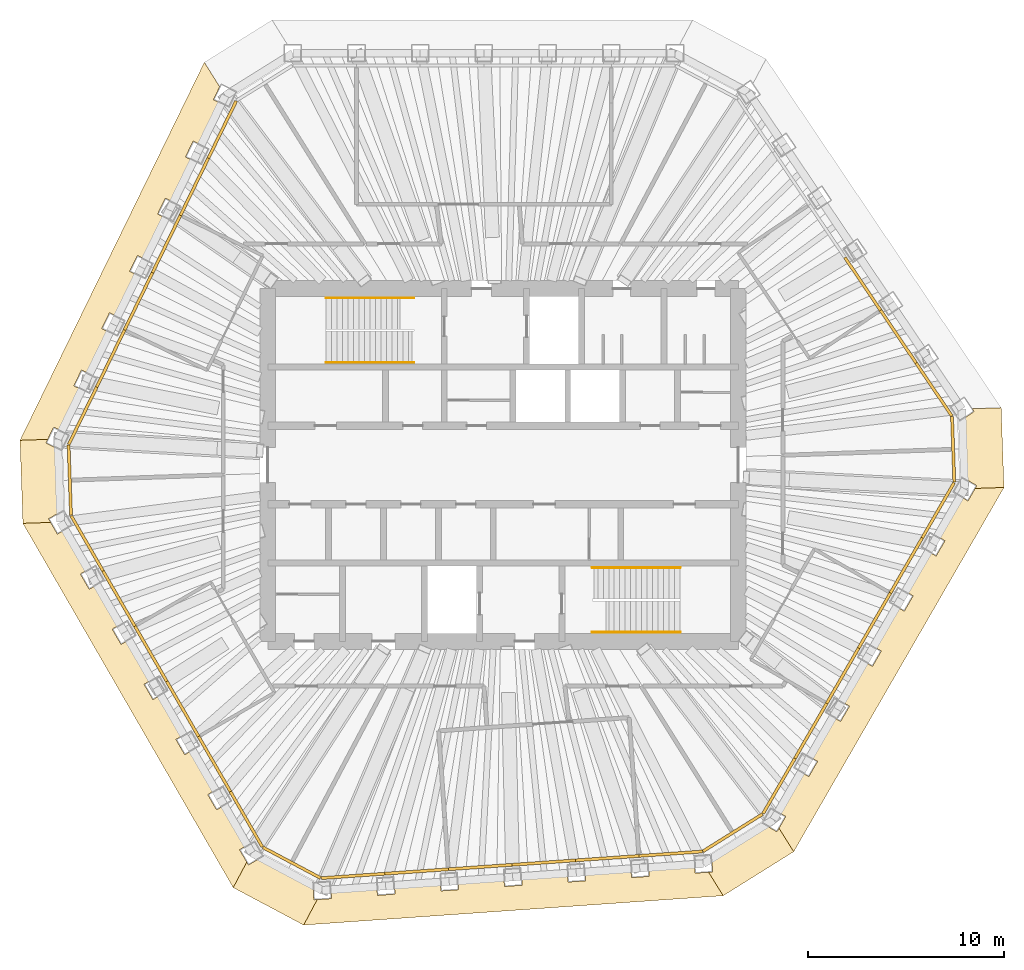
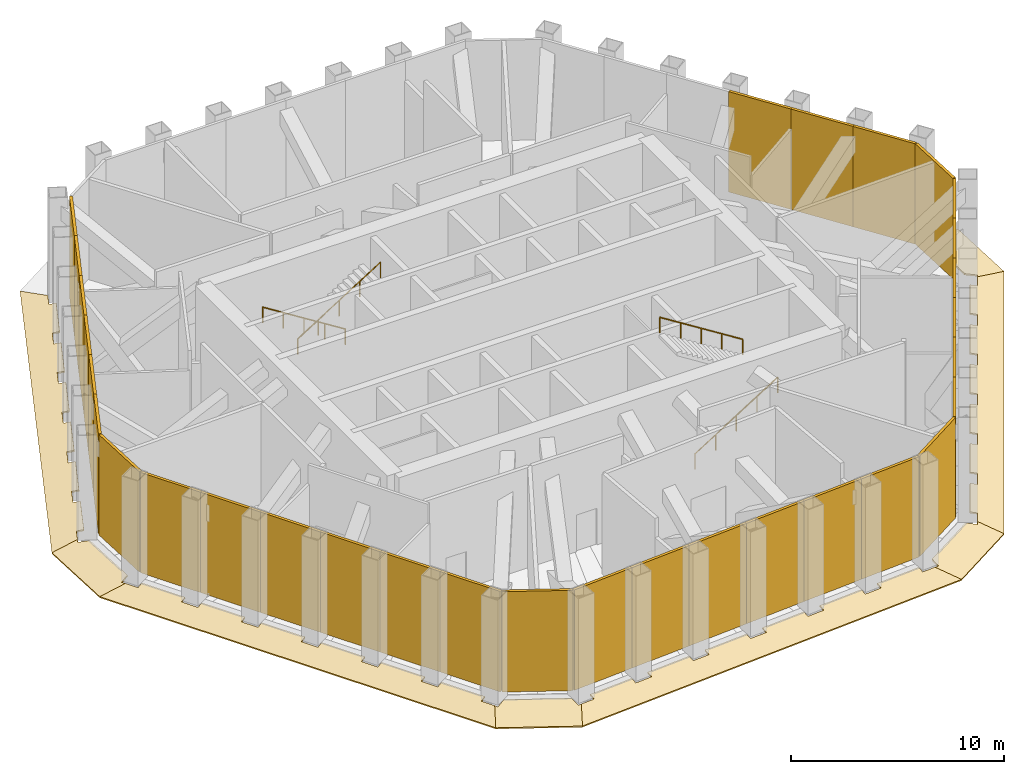
# One storey, part 9 of 10: 31 shading devices, 8 coverings, 4 railings.
"""IFC4 building model written with IfcOpenShell, lengths in metres."""

from ifc_helpers import new_model, si_unit, direction, frame, origin, origin_2d, place, context, subcontext, project, spatial, polyline, circle, outline, extrude, material, layer, layer_set, type_object, element, save


model = new_model("IFC4")

# Units and contexts
model_context = context("Model", 3, precision=1e-05, world=origin(), true_north=direction((0.0, 1.0)))
body_context = subcontext(model_context, "Body", "Model", "MODEL_VIEW")
ifc_project = project(units=[si_unit("LENGTHUNIT", "METRE"), si_unit("AREAUNIT", "SQUARE_METRE"), si_unit("VOLUMEUNIT", "CUBIC_METRE"), si_unit("PLANEANGLEUNIT", "RADIAN"), si_unit("MASSUNIT", "GRAM", prefix="KILO")], contexts=[model_context])

# Site, building, storey
site_placement = place(None, origin())
site = spatial("IfcSite", under=ifc_project, at=site_placement, CompositionType="ELEMENT")
building_placement = place(site_placement, origin())
building = spatial("IfcBuilding", under=site, at=building_placement, Name="Qingtian Harvest Tower", CompositionType="ELEMENT")
storey_placement = place(building_placement, frame((0.0, 0.0, 337.60009765625)))
storey = spatial("IfcBuildingStorey", under=building, at=storey_placement, Name="L75", CompositionType="ELEMENT", Elevation=337.60009765625)

# Shading devices
ifc_material_1 = material(Name="Bronze-finished aluminium lattice", Category="aluminium")
ifc_layer_1 = layer(ifc_material_1, 0.14990234375)
ifc_layer_set_1 = layer_set([ifc_layer_1], Name="Bronze crown screen LS2 150")
shading_device_type = type_object("IfcShadingDeviceType", Name="Bronze crown screen LS2 150", PredefinedType="USERDEFINED", material=ifc_layer_set_1)
shading_device_1_placement = place(storey_placement, frame((17.37646484375, 10.540771484375, 0.0), z_axis=(-0.829066456504, -0.55915007887, 0.0), x_axis=(0.55915007887, -0.829066456504, 0.0)))
element("IfcShadingDevice", 1, at=shading_device_1_placement, inside=storey, type_object=shading_device_type, Name="Lattice screen LS2 L75 NE3", ObjectType="SCREEN", PredefinedType="USERDEFINED", context=body_context, shape_type="SweptSolid", body=[
    extrude(outline(polyline([(0.0, 0.0), (3.2480762822144085, 0.0), (3.2480762822144085, 5.75), (0.0, 5.75), (0.0, 0.0)])), origin(), (0.0, 0.0, -1.0), 0.14990234375),
])
shading_device_2_placement = place(storey_placement, frame((19.192626953125, 7.847900390625, 0.0), z_axis=(-0.829008106372, -0.5592365864, 0.0), x_axis=(0.5592365864, -0.829008106372, 0.0)))
element("IfcShadingDevice", 2, at=shading_device_2_placement, inside=storey, type_object=shading_device_type, Name="Lattice screen LS2 L75 NE4", ObjectType="SCREEN", PredefinedType="USERDEFINED", context=body_context, shape_type="SweptSolid", body=[
    extrude(outline(polyline([(0.0, 0.0), (3.2480104023439154, 0.0), (3.2480104023439154, 5.75), (0.0, 5.75), (0.0, 0.0)])), origin(), (0.0, 0.0, -1.0), 0.14990234375),
])
shading_device_3_placement = place(storey_placement, frame((21.009033203125, 5.1552734375, 0.0), z_axis=(-0.829066456504, -0.55915007887, 0.0), x_axis=(0.55915007887, -0.829066456504, 0.0)))
element("IfcShadingDevice", 3, at=shading_device_3_placement, inside=storey, type_object=shading_device_type, Name="Lattice screen LS2 L75 NE5", ObjectType="SCREEN", PredefinedType="USERDEFINED", context=body_context, shape_type="SweptSolid", body=[
    extrude(outline(polyline([(0.0, 0.0), (3.2480762822144085, 0.0), (3.2480762822144085, 5.75), (0.0, 5.75), (0.0, 0.0)])), origin(), (0.0, 0.0, -1.0), 0.14990234375),
])
shading_device_4_placement = place(storey_placement, frame((22.8251953125, 2.46240234375, 0.0), z_axis=(-0.999390393097, -0.034911920381, 0.0), x_axis=(0.034911920381, -0.999390393097, 0.0)))
element("IfcShadingDevice", 4, at=shading_device_4_placement, inside=storey, type_object=shading_device_type, Name="Lattice screen LS2 L75 NEC", ObjectType="SCREEN", PredefinedType="USERDEFINED", context=body_context, shape_type="SweptSolid", body=[
    extrude(outline(polyline([(0.0, 0.0), (3.328689348253439, 0.0), (3.328689348253439, 5.75), (0.0, 5.75), (0.0, 0.0)])), origin(), (0.0, 0.0, -1.0), 0.14990234375),
])
shading_device_5_placement = place(storey_placement, frame((22.94140625, -0.8642578125, 0.0), z_axis=(-0.866032882975, 0.499987045439, 0.0), x_axis=(-0.499987045439, -0.866032882975, 0.0)))
element("IfcShadingDevice", 5, at=shading_device_5_placement, inside=storey, type_object=shading_device_type, Name="Lattice screen LS2 L75 SE0", ObjectType="SCREEN", PredefinedType="USERDEFINED", context=body_context, shape_type="SweptSolid", body=[
    extrude(outline(polyline([(0.0, 0.0), (3.2481310312238247, 0.0), (3.2481310312238247, 5.75), (0.0, 5.75), (0.0, 0.0)])), origin(), (0.0, 0.0, -1.0), 0.14990234375),
])
shading_device_6_placement = place(storey_placement, frame((21.3173828125, -3.67724609375, 0.0), z_axis=(-0.866014091259, 0.500019593356, 0.0), x_axis=(-0.500019593356, -0.866014091259, 0.0)))
element("IfcShadingDevice", 6, at=shading_device_6_placement, inside=storey, type_object=shading_device_type, Name="Lattice screen LS2 L75 SE1", ObjectType="SCREEN", PredefinedType="USERDEFINED", context=body_context, shape_type="SweptSolid", body=[
    extrude(outline(polyline([(0.0, 0.0), (3.2479195997083408, 0.0), (3.2479195997083408, 5.749999999999999), (0.0, 5.749999999999999), (0.0, 0.0)])), origin(), (0.0, 0.0, -1.0), 0.14990234375),
])
shading_device_7_placement = place(storey_placement, frame((19.693359375, -6.489990234375, 0.0), z_axis=(-0.866032882975, 0.499987045439, 0.0), x_axis=(-0.499987045439, -0.866032882975, 0.0)))
element("IfcShadingDevice", 7, at=shading_device_7_placement, inside=storey, type_object=shading_device_type, Name="Lattice screen LS2 L75 SE2", ObjectType="SCREEN", PredefinedType="USERDEFINED", context=body_context, shape_type="SweptSolid", body=[
    extrude(outline(polyline([(0.0, 0.0), (3.2481310312238247, 0.0), (3.2481310312238247, 5.75), (0.0, 5.75), (0.0, 0.0)])), origin(), (0.0, 0.0, -1.0), 0.14990234375),
])
shading_device_8_placement = place(storey_placement, frame((18.0693359375, -9.302978515625, 0.0), z_axis=(-0.866014091259, 0.500019593356, 0.0), x_axis=(-0.500019593356, -0.866014091259, 0.0)))
element("IfcShadingDevice", 8, at=shading_device_8_placement, inside=storey, type_object=shading_device_type, Name="Lattice screen LS2 L75 SE3", ObjectType="SCREEN", PredefinedType="USERDEFINED", context=body_context, shape_type="SweptSolid", body=[
    extrude(outline(polyline([(0.0, 0.0), (3.2479195997083408, 0.0), (3.2479195997083408, 5.749999999999999), (0.0, 5.749999999999999), (0.0, 0.0)])), origin(), (0.0, 0.0, -1.0), 0.14990234375),
])
shading_device_9_placement = place(storey_placement, frame((16.4453125, -12.11572265625, 0.0), z_axis=(-0.866032882975, 0.499987045439, 0.0), x_axis=(-0.499987045439, -0.866032882975, 0.0)))
element("IfcShadingDevice", 9, at=shading_device_9_placement, inside=storey, type_object=shading_device_type, Name="Lattice screen LS2 L75 SE4", ObjectType="SCREEN", PredefinedType="USERDEFINED", context=body_context, shape_type="SweptSolid", body=[
    extrude(outline(polyline([(0.0, 0.0), (3.2481310312238247, 0.0), (3.2481310312238247, 5.75), (0.0, 5.75), (0.0, 0.0)])), origin(), (0.0, 0.0, -1.0), 0.14990234375),
])
shading_device_10_placement = place(storey_placement, frame((14.8212890625, -14.9287109375, 0.0), z_axis=(-0.866014091259, 0.500019593356, 0.0), x_axis=(-0.500019593356, -0.866014091259, 0.0)))
element("IfcShadingDevice", 10, at=shading_device_10_placement, inside=storey, type_object=shading_device_type, Name="Lattice screen LS2 L75 SE5", ObjectType="SCREEN", PredefinedType="USERDEFINED", context=body_context, shape_type="SweptSolid", body=[
    extrude(outline(polyline([(0.0, 0.0), (3.2479195997083408, 0.0), (3.2479195997083408, 5.749999999999999), (0.0, 5.749999999999999), (0.0, 0.0)])), origin(), (0.0, 0.0, -1.0), 0.14990234375),
])
shading_device_11_placement = place(storey_placement, frame((13.197265625, -17.741455078125, 0.0), z_axis=(-0.529962168336, 0.848021285188, 0.0), x_axis=(-0.848021285188, -0.529962168336, 0.0)))
element("IfcShadingDevice", 11, at=shading_device_11_placement, inside=storey, type_object=shading_device_type, Name="Lattice screen LS2 L75 SEC", ObjectType="SCREEN", PredefinedType="USERDEFINED", context=body_context, shape_type="SweptSolid", body=[
    extrude(outline(polyline([(0.0, 0.0), (3.580831220617478, 0.0), (3.580831220617478, 5.75), (0.0, 5.75), (0.0, 0.0)])), origin(), (0.0, 0.0, -1.0), 0.14990234375),
])
shading_device_12_placement = place(storey_placement, frame((10.16064453125, -19.63916015625, 0.0), z_axis=(-0.069751339047, 0.9975644093, 0.0), x_axis=(-0.9975644093, -0.069751339047, 0.0)))
element("IfcShadingDevice", 12, at=shading_device_12_placement, inside=storey, type_object=shading_device_type, Name="Lattice screen LS2 L75 S0", ObjectType="SCREEN", PredefinedType="USERDEFINED", context=body_context, shape_type="SweptSolid", body=[
    extrude(outline(polyline([(0.0, 0.0), (3.248145528041792, 0.0), (3.248145528041792, 5.75), (0.0, 5.75), (0.0, 0.0)])), origin(), (0.0, 0.0, -1.0), 0.14990234375),
])
shading_device_13_placement = place(storey_placement, frame((6.92041015625, -19.86572265625, 0.0), z_axis=(-0.069756569394, 0.997564043571, 0.0), x_axis=(-0.997564043571, -0.069756569394, 0.0)))
element("IfcShadingDevice", 13, at=shading_device_13_placement, inside=storey, type_object=shading_device_type, Name="Lattice screen LS2 L75 S1", ObjectType="SCREEN", PredefinedType="USERDEFINED", context=body_context, shape_type="SweptSolid", body=[
    extrude(outline(polyline([(0.0, 0.0), (3.2479019820880706, 0.0), (3.2479019820880706, 5.75), (0.0, 5.75), (0.0, 0.0)])), origin(), (0.0, 0.0, -1.0), 0.14990234375),
])
shading_device_14_placement = place(storey_placement, frame((3.680419921875, -20.09228515625, 0.0), z_axis=(-0.069751339047, 0.9975644093, 0.0), x_axis=(-0.9975644093, -0.069751339047, 0.0)))
element("IfcShadingDevice", 14, at=shading_device_14_placement, inside=storey, type_object=shading_device_type, Name="Lattice screen LS2 L75 S2", ObjectType="SCREEN", PredefinedType="USERDEFINED", context=body_context, shape_type="SweptSolid", body=[
    extrude(outline(polyline([(0.0, 0.0), (3.248145528041792, 0.0), (3.248145528041792, 5.75), (0.0, 5.75), (0.0, 0.0)])), origin(), (0.0, 0.0, -1.0), 0.14990234375),
])
shading_device_15_placement = place(storey_placement, frame((0.440185546875, -20.31884765625, 0.0), z_axis=(-0.069756569394, 0.997564043571, 0.0), x_axis=(-0.997564043571, -0.069756569394, 0.0)))
element("IfcShadingDevice", 15, at=shading_device_15_placement, inside=storey, type_object=shading_device_type, Name="Lattice screen LS2 L75 S3", ObjectType="SCREEN", PredefinedType="USERDEFINED", context=body_context, shape_type="SweptSolid", body=[
    extrude(outline(polyline([(0.0, 0.0), (3.2479019820880706, 0.0), (3.2479019820880706, 5.75), (0.0, 5.75), (0.0, 0.0)])), origin(), (0.0, 0.0, -1.0), 0.14990234375),
])
shading_device_16_placement = place(storey_placement, frame((-2.7998046875, -20.54541015625, 0.0), z_axis=(-0.069751339047, 0.9975644093, 0.0), x_axis=(-0.9975644093, -0.069751339047, 0.0)))
element("IfcShadingDevice", 16, at=shading_device_16_placement, inside=storey, type_object=shading_device_type, Name="Lattice screen LS2 L75 S4", ObjectType="SCREEN", PredefinedType="USERDEFINED", context=body_context, shape_type="SweptSolid", body=[
    extrude(outline(polyline([(0.0, 0.0), (3.248145528041792, 0.0), (3.248145528041792, 5.75), (0.0, 5.75), (0.0, 0.0)])), origin(), (0.0, 0.0, -1.0), 0.14990234375),
])
shading_device_17_placement = place(storey_placement, frame((-6.0400390625, -20.77197265625, 0.0), z_axis=(-0.069756569394, 0.997564043571, 0.0), x_axis=(-0.997564043571, -0.069756569394, 0.0)))
element("IfcShadingDevice", 17, at=shading_device_17_placement, inside=storey, type_object=shading_device_type, Name="Lattice screen LS2 L75 S5", ObjectType="SCREEN", PredefinedType="USERDEFINED", context=body_context, shape_type="SweptSolid", body=[
    extrude(outline(polyline([(0.0, 0.0), (3.2479019820880706, 0.0), (3.2479019820880706, 5.75), (0.0, 5.75), (0.0, 0.0)])), origin(), (0.0, 0.0, -1.0), 0.14990234375),
])
shading_device_18_placement = place(storey_placement, frame((-9.280029296875, -20.99853515625, 0.0), z_axis=(0.469457277286, 0.882955188446, 0.0), x_axis=(-0.882955188446, 0.469457277286, 0.0)))
element("IfcShadingDevice", 18, at=shading_device_18_placement, inside=storey, type_object=shading_device_type, Name="Lattice screen LS2 L75 SC", ObjectType="SCREEN", PredefinedType="USERDEFINED", context=body_context, shape_type="SweptSolid", body=[
    extrude(outline(polyline([(0.0, 0.0), (3.328831432032642, 0.0), (3.328831432032642, 5.750000000000001), (0.0, 5.750000000000001), (0.0, 0.0)])), origin(), (0.0, 0.0, -1.0), 0.14990234375),
])
shading_device_19_placement = place(storey_placement, frame((-12.21923828125, -19.435791015625, 0.0), z_axis=(0.866032882975, 0.499987045439, 0.0), x_axis=(-0.499987045439, 0.866032882975, 0.0)))
element("IfcShadingDevice", 19, at=shading_device_19_placement, inside=storey, type_object=shading_device_type, Name="Lattice screen LS2 L75 SW0", ObjectType="SCREEN", PredefinedType="USERDEFINED", context=body_context, shape_type="SweptSolid", body=[
    extrude(outline(polyline([(0.0, 0.0), (3.2481310312238247, 0.0), (3.2481310312238247, 5.75), (0.0, 5.75), (0.0, 0.0)])), origin(), (0.0, 0.0, -1.0), 0.14990234375),
])
shading_device_20_placement = place(storey_placement, frame((-13.84326171875, -16.622802734375, 0.0), z_axis=(0.866014091259, 0.500019593356, 0.0), x_axis=(-0.500019593356, 0.866014091259, 0.0)))
element("IfcShadingDevice", 20, at=shading_device_20_placement, inside=storey, type_object=shading_device_type, Name="Lattice screen LS2 L75 SW1", ObjectType="SCREEN", PredefinedType="USERDEFINED", context=body_context, shape_type="SweptSolid", body=[
    extrude(outline(polyline([(0.0, 0.0), (3.2479195997083408, 0.0), (3.2479195997083408, 5.749999999999999), (0.0, 5.749999999999999), (0.0, 0.0)])), origin(), (0.0, 0.0, -1.0), 0.14990234375),
])
shading_device_21_placement = place(storey_placement, frame((-15.46728515625, -13.81005859375, 0.0), z_axis=(0.866032882975, 0.499987045439, 0.0), x_axis=(-0.499987045439, 0.866032882975, 0.0)))
element("IfcShadingDevice", 21, at=shading_device_21_placement, inside=storey, type_object=shading_device_type, Name="Lattice screen LS2 L75 SW2", ObjectType="SCREEN", PredefinedType="USERDEFINED", context=body_context, shape_type="SweptSolid", body=[
    extrude(outline(polyline([(0.0, 0.0), (3.2481310312238247, 0.0), (3.2481310312238247, 5.75), (0.0, 5.75), (0.0, 0.0)])), origin(), (0.0, 0.0, -1.0), 0.14990234375),
])
shading_device_22_placement = place(storey_placement, frame((-17.09130859375, -10.9970703125, 0.0), z_axis=(0.866014091259, 0.500019593356, 0.0), x_axis=(-0.500019593356, 0.866014091259, 0.0)))
element("IfcShadingDevice", 22, at=shading_device_22_placement, inside=storey, type_object=shading_device_type, Name="Lattice screen LS2 L75 SW3", ObjectType="SCREEN", PredefinedType="USERDEFINED", context=body_context, shape_type="SweptSolid", body=[
    extrude(outline(polyline([(0.0, 0.0), (3.2479195997083408, 0.0), (3.2479195997083408, 5.749999999999999), (0.0, 5.749999999999999), (0.0, 0.0)])), origin(), (0.0, 0.0, -1.0), 0.14990234375),
])
shading_device_23_placement = place(storey_placement, frame((-18.71533203125, -8.184326171875, 0.0), z_axis=(0.866032882975, 0.499987045439, 0.0), x_axis=(-0.499987045439, 0.866032882975, 0.0)))
element("IfcShadingDevice", 23, at=shading_device_23_placement, inside=storey, type_object=shading_device_type, Name="Lattice screen LS2 L75 SW4", ObjectType="SCREEN", PredefinedType="USERDEFINED", context=body_context, shape_type="SweptSolid", body=[
    extrude(outline(polyline([(0.0, 0.0), (3.2481310312238247, 0.0), (3.2481310312238247, 5.75), (0.0, 5.75), (0.0, 0.0)])), origin(), (0.0, 0.0, -1.0), 0.14990234375),
])
shading_device_24_placement = place(storey_placement, frame((-20.33935546875, -5.371337890625, 0.0), z_axis=(0.866014091259, 0.500019593356, 0.0), x_axis=(-0.500019593356, 0.866014091259, 0.0)))
element("IfcShadingDevice", 24, at=shading_device_24_placement, inside=storey, type_object=shading_device_type, Name="Lattice screen LS2 L75 SW5", ObjectType="SCREEN", PredefinedType="USERDEFINED", context=body_context, shape_type="SweptSolid", body=[
    extrude(outline(polyline([(0.0, 0.0), (3.2479195997083408, 0.0), (3.2479195997083408, 5.749999999999999), (0.0, 5.749999999999999), (0.0, 0.0)])), origin(), (0.0, 0.0, -1.0), 0.14990234375),
])
shading_device_25_placement = place(storey_placement, frame((-21.96337890625, -2.55859375, 0.0), z_axis=(0.999392973665, 0.034837970499, 0.0), x_axis=(-0.034837970499, 0.999392973665, 0.0)))
element("IfcShadingDevice", 25, at=shading_device_25_placement, inside=storey, type_object=shading_device_type, Name="Lattice screen LS2 L75 SWC", ObjectType="SCREEN", PredefinedType="USERDEFINED", context=body_context, shape_type="SweptSolid", body=[
    extrude(outline(polyline([(0.0, 0.0), (3.5810312021201613, 0.0), (3.5810312021201613, 5.75), (0.0, 5.75), (0.0, 0.0)])), origin(), (0.0, 0.0, -1.0), 0.14990234375),
])
shading_device_26_placement = place(storey_placement, frame((-22.088134765625, 1.020263671875, 0.0), z_axis=(0.898788672611, -0.438382164311, 0.0), x_axis=(0.438382164311, 0.898788672611, 0.0)))
element("IfcShadingDevice", 26, at=shading_device_26_placement, inside=storey, type_object=shading_device_type, Name="Lattice screen LS2 L75 NW0", ObjectType="SCREEN", PredefinedType="USERDEFINED", context=body_context, shape_type="SweptSolid", body=[
    extrude(outline(polyline([(0.0, 0.0), (3.2479152687188826, 0.0), (3.2479152687188826, 5.75), (0.0, 5.75), (0.0, 0.0)])), origin(), (0.0, 0.0, -1.0), 0.14990234375),
])
shading_device_27_placement = place(storey_placement, frame((-20.664306640625, 3.939453125, 0.0), z_axis=(0.898803116931, -0.438352548749, 0.0), x_axis=(0.438352548749, 0.898803116931, 0.0)))
element("IfcShadingDevice", 27, at=shading_device_27_placement, inside=storey, type_object=shading_device_type, Name="Lattice screen LS2 L75 NW1", ObjectType="SCREEN", PredefinedType="USERDEFINED", context=body_context, shape_type="SweptSolid", body=[
    extrude(outline(polyline([(0.0, 0.0), (3.2481347013104394, 0.0), (3.2481347013104394, 5.750000000000001), (0.0, 5.750000000000001), (0.0, 0.0)])), origin(), (0.0, 0.0, -1.0), 0.14990234375),
])
shading_device_28_placement = place(storey_placement, frame((-19.240478515625, 6.85888671875, 0.0), z_axis=(0.898788672611, -0.438382164311, 0.0), x_axis=(0.438382164311, 0.898788672611, 0.0)))
element("IfcShadingDevice", 28, at=shading_device_28_placement, inside=storey, type_object=shading_device_type, Name="Lattice screen LS2 L75 NW2", ObjectType="SCREEN", PredefinedType="USERDEFINED", context=body_context, shape_type="SweptSolid", body=[
    extrude(outline(polyline([(0.0, 0.0), (3.2479152687188826, 0.0), (3.2479152687188826, 5.75), (0.0, 5.75), (0.0, 0.0)])), origin(), (0.0, 0.0, -1.0), 0.14990234375),
])
shading_device_29_placement = place(storey_placement, frame((-17.816650390625, 9.778076171875, 0.0), z_axis=(0.898803116931, -0.438352548749, 0.0), x_axis=(0.438352548749, 0.898803116931, 0.0)))
element("IfcShadingDevice", 29, at=shading_device_29_placement, inside=storey, type_object=shading_device_type, Name="Lattice screen LS2 L75 NW3", ObjectType="SCREEN", PredefinedType="USERDEFINED", context=body_context, shape_type="SweptSolid", body=[
    extrude(outline(polyline([(0.0, 0.0), (3.2481347013104394, 0.0), (3.2481347013104394, 5.750000000000001), (0.0, 5.750000000000001), (0.0, 0.0)])), origin(), (0.0, 0.0, -1.0), 0.14990234375),
])
shading_device_30_placement = place(storey_placement, frame((-16.392822265625, 12.697509765625, 0.0), z_axis=(0.898788672611, -0.438382164311, 0.0), x_axis=(0.438382164311, 0.898788672611, 0.0)))
element("IfcShadingDevice", 30, at=shading_device_30_placement, inside=storey, type_object=shading_device_type, Name="Lattice screen LS2 L75 NW4", ObjectType="SCREEN", PredefinedType="USERDEFINED", context=body_context, shape_type="SweptSolid", body=[
    extrude(outline(polyline([(0.0, 0.0), (3.2479152687188826, 0.0), (3.2479152687188826, 5.75), (0.0, 5.75), (0.0, 0.0)])), origin(), (0.0, 0.0, -1.0), 0.14990234375),
])
shading_device_31_placement = place(storey_placement, frame((-14.968994140625, 15.61669921875, 0.0), z_axis=(0.898803116931, -0.438352548749, 0.0), x_axis=(0.438352548749, 0.898803116931, 0.0)))
element("IfcShadingDevice", 31, at=shading_device_31_placement, inside=storey, type_object=shading_device_type, Name="Lattice screen LS2 L75 NW5", ObjectType="SCREEN", PredefinedType="USERDEFINED", context=body_context, shape_type="SweptSolid", body=[
    extrude(outline(polyline([(0.0, 0.0), (3.2481347013104394, 0.0), (3.2481347013104394, 5.750000000000001), (0.0, 5.750000000000001), (0.0, 0.0)])), origin(), (0.0, 0.0, -1.0), 0.14990234375),
])

# Coverings
ifc_material_2 = material(Name="Bronze-finished aluminium plate", Category="aluminium")
ifc_layer_2 = layer(ifc_material_2, 0.080078125)
ifc_layer_set_2 = layer_set([ifc_layer_2], Name="Bronze eave band EB1")
covering_type = type_object("IfcCoveringType", Name="Bronze eave band EB1", PredefinedType="CLADDING", material=ifc_layer_set_2)
covering_1_placement = place(storey_placement, frame((23.539306640625, 2.4013671875, -0.02001953125), z_axis=(0.156969029457, 0.005483360533, 0.987588303165), x_axis=(0.821676820678, 0.55405612257, -0.133675036573)))
element("IfcCovering", 32, at=covering_1_placement, inside=storey, type_object=covering_type, Name="Eave band EB1 L75 4", PredefinedType="CLADDING", context=body_context, shape_type="SweptSolid", body=[
    extrude(outline(polyline([(0.0, 0.0), (0.5975107240107999, -2.2551405187698492e-17), (0.5954921880022496, 0.1693909404375266), (1.8658124548343988, -0.6142075062615157), (-0.27139976702860175, -4.078608609274819), (-1.5417200338607513, -3.295010162575777), (-1.3893926536128578, -3.2207221479610038), (-1.6572547101817081, -2.686699401588354), (0.0, 0.0)])), origin(), (0.0, 0.0, -1.0), 0.080078125),
])
covering_2_placement = place(storey_placement, frame((23.4091796875, -1.654052734375, -0.02001953125), z_axis=(0.159613248362, -0.092151344764, 0.98286913707), x_axis=(0.851506827637, -0.490884789435, -0.18430476388)))
element("IfcCovering", 33, at=covering_2_placement, inside=storey, type_object=covering_type, Name="Eave band EB1 L75 5", PredefinedType="CLADDING", context=body_context, shape_type="SweptSolid", body=[
    extrude(outline(polyline([(0.0, 0.0), (0.35610912369247605, -4.526544070126981e-18), (0.3565586993685944, 0.7309822525214326), (1.628860476887566, 1.511359273706199), (1.615381234308334, -19.94298154358854), (0.3439494840414363, -19.277473987842807), (0.3442577905914559, -18.588281634457378), (-0.011763290611224164, -18.587948187996396), (-0.010221073104429657, -16.23989557180691), (0.3458000080982504, -16.24022901826789), (0.3463915206618784, -15.340362735676301), (-0.009629560540801663, -15.340029289215323), (-0.008087343034007155, -12.991976673025832), (0.3479337381686729, -12.992310119486811), (0.3484054058130057, -12.09223232877439), (-0.007615675389675225, -12.09189888231341), (-0.006281345291972329, -9.743968204464064), (0.34994762331979934, -9.7441797125849), (0.3505391358834282, -8.844313429993313), (-0.005481945319252279, -8.843979983532334), (-0.004147615221549383, -6.496049305682988), (0.35196150847092667, -6.4960493056829876), (0.35255302103455466, -5.596183023091402), (-0.0034680601681253975, -5.595849576630423), (-0.0021337300704225015, -3.2479188987810765), (0.35409523854134917, -3.2481304069019115), (0.3545669061856819, -2.348052616189491), (-0.001334330097703007, -2.3479306778493467), (0.0, 0.0)])), origin(), (0.0, 0.0, -1.0), 0.080078125),
])
covering_3_placement = place(storey_placement, frame((13.482421875, -18.42578125, -0.02001953125), z_axis=(0.086561252646, -0.138531152609, 0.98656792432), x_axis=(0.856901737042, -0.494766064945, -0.144658058998)))
element("IfcCovering", 34, at=covering_3_placement, inside=storey, type_object=covering_type, Name="Eave band EB1 L75 6", PredefinedType="CLADDING", context=body_context, shape_type="SweptSolid", body=[
    extrude(outline(polyline([(0.0, 0.0), (0.5669740657126259, -2.0816681711721685e-17), (0.5646314006419184, 0.21150595880387876), (1.8354786374505656, -0.4551170995479398), (-0.1332602154066983, -4.208309956247472), (-1.4041074522153454, -3.5416868978956533), (-1.2288636725157922, -3.423543198540316), (-1.551059279596891, -2.9571057114309234), (0.0, 0.0)])), origin(), (0.0, 0.0, -1.0), 0.080078125),
])
covering_4_placement = place(storey_placement, frame((9.767578125, -20.468505859375, -0.02001953125), z_axis=(0.012856687316, -0.183852933862, 0.982869678188), x_axis=(0.06856470171, -0.980475234762, -0.184301914528)))
element("IfcCovering", 35, at=covering_4_placement, inside=storey, type_object=covering_type, Name="Eave band EB1 L75 7", PredefinedType="CLADDING", context=body_context, shape_type="SweptSolid", body=[
    extrude(outline(polyline([(0.0, 0.0), (0.35608234152540524, -5.7178959104401544e-18), (0.3560639281384206, 0.68918027126967), (1.627940483523832, 1.3538373483546953), (1.6278735262723087, -20.10052410710008), (0.35601538422761053, -19.319521938988416), (0.356003666611367, -18.588247406429467), (-7.867491403823479e-05, -18.588247406429467), (-0.00010043622280364595, -16.240240547929268), (0.3559819053026016, -16.240240547929268), (0.3560304496275792, -15.340101878501216), (-5.189189782606185e-05, -15.340101878501216), (-7.365320659169505e-05, -12.992095020001017), (0.35600868831881355, -12.992095020001019), (0.35604049321466275, -12.09219989642896), (-4.1848310742498285e-05, -12.092199896428959), (-6.360961950802047e-05, -9.744193037928762), (0.3560187319058972, -9.744193037928762), (0.3560672762308749, -8.844054368500707), (-1.5065294530325346e-05, -8.844054368500707), (-3.6826603295847526e-05, -6.496047510000508), (0.3560455149221094, -6.496047510000508), (0.35607731981795865, -5.596152386428451), (-5.021707446595247e-06, -5.596152386428451), (-2.6783016212089672e-05, -3.2481455279282527), (0.35605555850919307, -3.2481455279282527), (0.3561041028341707, -2.3480068585001987), (2.176130876552218e-05, -2.3480068585001987), (0.0, 0.0)])), origin(), (0.0, 0.0, -1.0), 0.080078125),
])
covering_5_placement = place(storey_placement, frame((-9.690185546875, -21.58642578125, -0.02001953125), z_axis=(-0.07373998858, -0.138679742228, 0.987588144512), x_axis=(0.069474928475, -0.988592619979, -0.133633326816)))
element("IfcCovering", 36, at=covering_5_placement, inside=storey, type_object=covering_type, Name="Eave band EB1 L75 8", PredefinedType="CLADDING", context=body_context, shape_type="SweptSolid", body=[
    extrude(outline(polyline([(0.0, 0.0), (0.5973912068943948, -7.806255641895632e-18), (0.595600446885889, 0.1692046301774116), (1.8655182456050543, -0.6149486094879488), (-0.273522996145715, -4.078397759611691), (-1.5434238332124204, -3.2940016355257837), (-1.3911077778787089, -3.2199680549204763), (-1.658662838561582, -2.685692356250066), (0.0, 0.0)])), origin(), (0.0, 0.0, -1.0), 0.080078125),
])
covering_6_placement = place(storey_placement, frame((-13.136962890625, -19.446044921875, -0.02001953125), z_axis=(-0.159617900891, -0.092154579096, 0.982868078262), x_axis=(-0.851209210555, -0.491398554311, -0.184310446494)))
element("IfcCovering", 37, at=covering_6_placement, inside=storey, type_object=covering_type, Name="Eave band EB1 L75 9", PredefinedType="CLADDING", context=body_context, shape_type="SweptSolid", body=[
    extrude(outline(polyline([(0.0, 0.0), (0.3562290315082038, 2.949029909160572e-17), (0.35600565599947953, 0.7311044523746559), (1.627920166153358, 1.5122311356020308), (1.6286610636396273, -19.942113903237807), (0.3569428234605546, -19.27747780959373), (0.35683590451182534, -18.588163332876643), (0.0008146877522934304, -18.588285394645283), (0.0006666079902961641, -16.240232276649788), (0.3568956394984998, -16.24023227664979), (0.3567505710538358, -15.340032302780319), (0.0007293542943029863, -15.34015436454896), (0.00058127453230572, -12.992101246553469), (0.35681030604051023, -12.992101246553469), (0.3565452672456729, -12.092112709599904), (0.0005240504861401263, -12.092234771368545), (0.00037597072414286004, -9.744181653373055), (0.3566050022323465, -9.744181653373055), (0.3564599337876829, -8.843981679503583), (0.00043871702815012625, -8.844103741272226), (0.00029063726615286, -6.4960506232767345), (0.3565196687743569, -6.4960506232767345), (0.3562546299795196, -5.596062086323172), (0.00023341321998682218, -5.596184148091813), (8.533345798955594e-05, -3.248131030096321), (0.3563143649661936, -3.2481310300963213), (0.35616929652153007, -2.34793105622685), (0.00014807976199693318, -2.3480531179954913), (0.0, 0.0)])), origin(), (0.0, 0.0, -1.0), 0.080078125),
])
covering_7_placement = place(storey_placement, frame((-22.6982421875, -2.46337890625, -0.02001953125), z_axis=(-0.163251645475, -0.005703399411, 0.98656797611), x_axis=(-0.85690400763, -0.494762781286, -0.14465583971)))
element("IfcCovering", 38, at=covering_7_placement, inside=storey, type_object=covering_type, Name="Eave band EB1 L75 10", PredefinedType="CLADDING", context=body_context, shape_type="SweptSolid", body=[
    extrude(outline(polyline([(0.0, 0.0), (0.5669740656795381, 2.6020852139652106e-17), (0.5646718755114762, 0.21117388999439196), (1.8353189487917247, -0.45550776881587385), (-0.13339709152209006, -4.2084065127073655), (-1.4041649564969882, -3.5419370143844993), (-1.2289848846164861, -3.4236638380930455), (-1.5512224376299302, -2.9572930291799024), (0.0, 0.0)])), origin(), (0.0, 0.0, -1.0), 0.080078125),
])
covering_8_placement = place(storey_placement, frame((-22.610107421875, 1.775390625, -0.02001953125), z_axis=(-0.165655677989, 0.080796102988, 0.982868346266), x_axis=(-0.883450144437, 0.430750541402, -0.184309015994)))
element("IfcCovering", 39, at=covering_8_placement, inside=storey, type_object=covering_type, Name="Eave band EB1 L75 11", PredefinedType="CLADDING", context=body_context, shape_type="SweptSolid", body=[
    extrude(outline(polyline([(0.0, 0.0), (0.35595074495539497, 2.7257520242643385e-17), (0.3561697770050179, 0.6891952847198747), (1.6279197483086738, 1.3537888220503835), (1.6252954436153868, -20.100732658234072), (0.35368010196841254, -19.3194540807016), (0.35377521480793067, -18.588219983262597), (-0.002496379924280312, -18.588107535876134), (-0.0021989851331385424, -16.24012208324087), (0.35407260959907244, -16.240234530627333), (0.35410877639663635, -15.340085299108079), (-0.002057654629178174, -15.34019229679424), (-0.0017602598380355161, -12.992206844158979), (0.3544061711877781, -12.992099846472817), (0.3545475016917385, -12.092170060026188), (-0.0017240930404716082, -12.092057612639724), (-0.0014266982493298386, -9.74407216000446), (0.35484489648288114, -9.744184607390926), (0.3548810632804446, -8.844035375871671), (-0.00128536774536947, -8.844142373557833), (-0.0009879729542272564, -6.49615692092257), (0.3551784580715868, -6.496049923236408), (0.3553197885755474, -5.5961201367897795), (-0.0009518061566642366, -5.596007689403316), (-0.0004387252951025822, -3.2479152390818915), (0.3556171833666893, -3.248134684154517), (0.35565335016425265, -2.347985452635262), (-0.0002973947911422137, -2.3479854526352626), (0.0, 0.0)])), origin(), (0.0, 0.0, -1.0), 0.080078125),
])

# Railings
ifc_material_3 = material(Name="Stainless steel handrail", Category="steel")
railing_type = type_object("IfcRailingType", Name="Handrail HR1", PredefinedType="HANDRAIL", material=ifc_material_3)
railing_1_placement = place(storey_placement, frame((-4.550048828125, 8.52001953125, 0.17626953125)))
element("IfcRailing", 40, at=railing_1_placement, inside=storey, type_object=railing_type, Name="Handrail HR1 S1 flight 1", PredefinedType="HANDRAIL", context=body_context, shape_type="SweptSolid", body=[
    extrude(circle(Radius=0.02392578125, at=origin_2d()), frame((0.0, 0.0, 0.8759765625), z_axis=(-0.845977142166, 0.0, 0.533219162196), x_axis=(0.0, -1.0, 0.0)), (0.0, 0.0, 1.0), 5.295654296875),
    extrude(circle(Radius=0.02099609375, at=origin_2d()), origin(), (0.0, 0.0, 1.0), 0.851806640625),
    extrude(circle(Radius=0.02099609375, at=origin_2d()), frame((-1.1201171875, 0.0, 0.7060546875)), (0.0, 0.0, 1.0), 0.851806640625),
    extrude(circle(Radius=0.02099609375, at=origin_2d()), frame((-2.239990234375, 0.0, 1.411865234375)), (0.0, 0.0, 1.0), 0.851806640625),
    extrude(circle(Radius=0.02099609375, at=origin_2d()), frame((-3.35986328125, 0.0, 2.11767578125)), (0.0, 0.0, 1.0), 0.851806640625),
    extrude(circle(Radius=0.02099609375, at=origin_2d()), frame((-4.47998046875, 0.0, 2.82373046875)), (0.0, 0.0, 1.0), 0.851806640625),
])
for number, where, name in (
    (41, (-9.030029296875, 5.22998046875, 3.17626953125), "Handrail HR1 S1 flight 2"),
    (42, (4.550048828125, -8.52001953125, 0.17626953125), "Handrail HR1 S2 flight 1"),
):
    element("IfcRailing", number, at=place(storey_placement, frame(where)), inside=storey, type_object=railing_type, Name=name, PredefinedType="HANDRAIL", context=body_context, shape_type="SweptSolid", body=[
        extrude(circle(Radius=0.02392578125, at=origin_2d()), frame((0.0, 0.0, 0.8759765625), z_axis=(0.845977142166, 0.0, 0.533219162196), x_axis=(0.0, 1.0, 0.0)), (0.0, 0.0, 1.0), 5.295654296875),
        extrude(circle(Radius=0.02099609375, at=origin_2d()), origin(), (0.0, 0.0, 1.0), 0.851806640625),
        extrude(circle(Radius=0.02099609375, at=origin_2d()), frame((1.1201171875, 0.0, 0.7060546875)), (0.0, 0.0, 1.0), 0.851806640625),
        extrude(circle(Radius=0.02099609375, at=origin_2d()), frame((2.239990234375, 0.0, 1.411865234375)), (0.0, 0.0, 1.0), 0.851806640625),
        extrude(circle(Radius=0.02099609375, at=origin_2d()), frame((3.35986328125, 0.0, 2.11767578125)), (0.0, 0.0, 1.0), 0.851806640625),
        extrude(circle(Radius=0.02099609375, at=origin_2d()), frame((4.47998046875, 0.0, 2.82373046875)), (0.0, 0.0, 1.0), 0.851806640625),
    ])
railing_2_placement = place(storey_placement, frame((9.030029296875, -5.22998046875, 3.17626953125)))
element("IfcRailing", 43, at=railing_2_placement, inside=storey, type_object=railing_type, Name="Handrail HR1 S2 flight 2", PredefinedType="HANDRAIL", context=body_context, shape_type="SweptSolid", body=[
    extrude(circle(Radius=0.02392578125, at=origin_2d()), frame((0.0, 0.0, 0.8759765625), z_axis=(-0.845977142166, 0.0, 0.533219162196), x_axis=(0.0, -1.0, 0.0)), (0.0, 0.0, 1.0), 5.295654296875),
    extrude(circle(Radius=0.02099609375, at=origin_2d()), origin(), (0.0, 0.0, 1.0), 0.851806640625),
    extrude(circle(Radius=0.02099609375, at=origin_2d()), frame((-1.1201171875, 0.0, 0.7060546875)), (0.0, 0.0, 1.0), 0.851806640625),
    extrude(circle(Radius=0.02099609375, at=origin_2d()), frame((-2.239990234375, 0.0, 1.411865234375)), (0.0, 0.0, 1.0), 0.851806640625),
    extrude(circle(Radius=0.02099609375, at=origin_2d()), frame((-3.35986328125, 0.0, 2.11767578125)), (0.0, 0.0, 1.0), 0.851806640625),
    extrude(circle(Radius=0.02099609375, at=origin_2d()), frame((-4.47998046875, 0.0, 2.82373046875)), (0.0, 0.0, 1.0), 0.851806640625),
])

save(model, "model.ifc")
